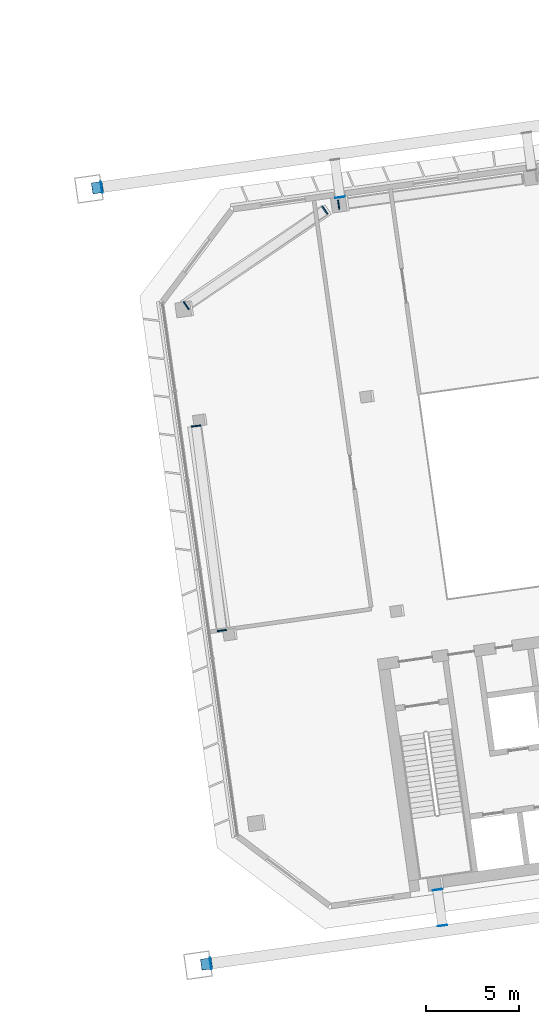
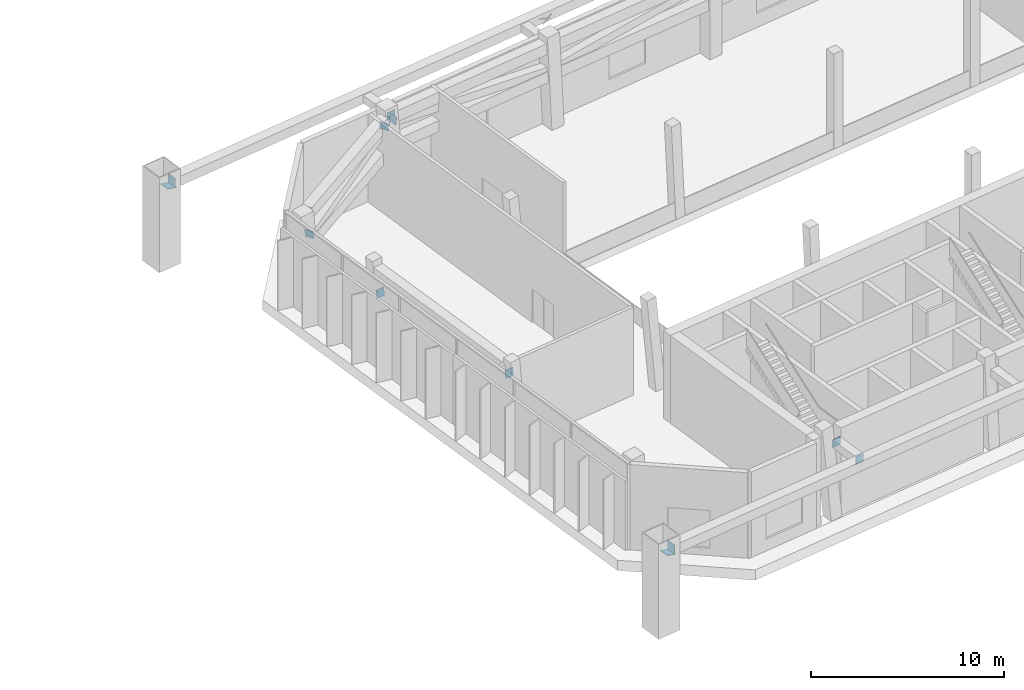
# One storey, part 24 of 29: 12 discrete accessories.
"""IFC4 building model written with IfcOpenShell, lengths in metres."""

import ifcopenshell
import ifcopenshell.guid

model = None  # the IFC model being written
_history = None  # IfcOwnerHistory: only IFC2X3 demands one
_inside = {}  # id of a spatial element -> (the spatial element, [elements in it])
_under = {}  # id of a project, library or spatial element -> (it, [spatial elements below it])
_declared = {}  # id of a project -> (the project, [libraries it declares])
_typed = {}  # id of a type object -> (the type object, [elements of that type])
_made_of = {}  # id of a material, layer set ... -> (it, [elements and type objects made of it])


def new_model(schema):
    """Start an empty IFC model of exactly this schema.

    Asked for "IFC4X3", IfcOpenShell would pick the latest addendum, in which some entities
    have other attributes; the version numbers below select the first issue.
    IFC2X3 requires an IfcOwnerHistory on every rooted entity: one is made here for all.
    """
    global model, _history
    if schema == "IFC4X3":
        model = ifcopenshell.file(schema_version=(4, 3, 0, 0))
    else:
        model = ifcopenshell.file(schema=schema)
    _inside.clear()
    _under.clear()
    _declared.clear()
    _typed.clear()
    _made_of.clear()
    _history = None
    if model.schema == "IFC2X3":
        org = make("IfcOrganization", Name="unknown")
        user = make(
            "IfcPersonAndOrganization",
            ThePerson=make("IfcPerson", FamilyName="unknown"),
            TheOrganization=org,
        )
        app = make(
            "IfcApplication",
            ApplicationDeveloper=org,
            Version="unknown",
            ApplicationFullName="unknown",
            ApplicationIdentifier="unknown",
        )
        _history = make(
            "IfcOwnerHistory",
            OwningUser=user,
            OwningApplication=app,
            ChangeAction="ADDED",
            CreationDate=0,
        )
    return model


def make(cls, **values):
    """One entity of the class cls with the attributes given. An attribute that is None is left unset."""
    return model.create_entity(
        cls, **{name: value for name, value in values.items() if value is not None}
    )


def rooted(cls, **values):
    """An entity with a GlobalId (a new one), such as an element, a storey or a relation."""
    return make(cls, GlobalId=ifcopenshell.guid.new(), OwnerHistory=_history, **values)


def si_unit(unit_type, name, prefix=None):
    """IfcSIUnit, for example si_unit("LENGTHUNIT", "METRE", prefix="MILLI")."""
    return make("IfcSIUnit", UnitType=unit_type, Prefix=prefix, Name=name)


def assignment(units):
    """IfcUnitAssignment: the units of a project."""
    return None if units is None else make("IfcUnitAssignment", Units=units)


def point(xyz):
    """IfcCartesianPoint."""
    return None if xyz is None else make("IfcCartesianPoint", Coordinates=xyz)


def direction(xyz):
    """IfcDirection."""
    return None if xyz is None else make("IfcDirection", DirectionRatios=xyz)


def frame(location, z_axis=None, x_axis=None):
    """IfcAxis2Placement3D, a coordinate frame: its origin and axes. An axis left out is left unset."""
    return make(
        "IfcAxis2Placement3D",
        Location=point(location),
        Axis=direction(z_axis),
        RefDirection=direction(x_axis),
    )


def frame_2d(location, x_axis=None):
    """IfcAxis2Placement2D, a coordinate frame in the plane: its origin and x axis."""
    return make(
        "IfcAxis2Placement2D", Location=point(location), RefDirection=direction(x_axis)
    )


def origin():
    """The frame at (0, 0, 0) with its axes left unset."""
    return frame((0.0, 0.0, 0.0))


def origin_2d():
    """The frame at (0, 0) in the plane with its x axis left unset."""
    return frame_2d((0.0, 0.0))


def place(relative_to, where):
    """IfcLocalPlacement: puts the frame where relative to a parent placement (None: the world)."""
    return make(
        "IfcLocalPlacement", PlacementRelTo=relative_to, RelativePlacement=where
    )


def context(
    kind, dimensions, precision=None, world=None, true_north=None, identifier=None
):
    """IfcGeometricRepresentationContext, for example the 3D "Model" context."""
    return make(
        "IfcGeometricRepresentationContext",
        ContextIdentifier=identifier,
        ContextType=kind,
        CoordinateSpaceDimension=dimensions,
        Precision=precision,
        WorldCoordinateSystem=world,
        TrueNorth=true_north,
    )


def subcontext(parent, identifier, kind, view, scale=None):
    """IfcGeometricRepresentationSubContext, for example "Body" below "Model"."""
    return make(
        "IfcGeometricRepresentationSubContext",
        ContextIdentifier=identifier,
        ContextType=kind,
        ParentContext=parent,
        TargetScale=scale,
        TargetView=view,
    )


def project(units=None, contexts=None):
    """IfcProject with its units and contexts."""
    return rooted(
        "IfcProject",
        Name="project",
        RepresentationContexts=contexts,
        UnitsInContext=assignment(units),
    )


def spatial(cls, under=None, at=None, **own):
    """A site, building, storey or space (cls), placed at a placement, below another one or the project."""
    s = rooted(cls, ObjectPlacement=at, **own)
    if under is not None:
        _under.setdefault(under.id(), (under, []))[1].append(s)
    return s


def profile(cls, at=None, kind="AREA", **sizes):
    """A parametric profile (cls). Its sizes go by their IFC names, for example OverallWidth=200.0."""
    return make(cls, ProfileType=kind, Position=at, **sizes)


def rectangle(**sizes):
    """IfcRectangleProfileDef."""
    return profile("IfcRectangleProfileDef", **sizes)


def extrude(swept, where, along, depth):
    """IfcExtrudedAreaSolid: the profile swept, set in the frame where, extruded along a direction by depth."""
    return make(
        "IfcExtrudedAreaSolid",
        SweptArea=swept,
        Position=where,
        ExtrudedDirection=direction(along),
        Depth=depth,
    )


def shape(context_of_items, identifier, shape_type, items):
    """IfcShapeRepresentation: the items that make up one representation, for example the "Body"."""
    return make(
        "IfcShapeRepresentation",
        ContextOfItems=context_of_items,
        RepresentationIdentifier=identifier,
        RepresentationType=shape_type,
        Items=items,
    )


def material(Name=None, Category=None):
    """IfcMaterial."""
    return make("IfcMaterial", Name=Name, Category=Category)


def material_profile(
    of_material, cross_section, Name=None, Category=None, Priority=None
):
    """IfcMaterialProfile: a cross section and its material."""
    return make(
        "IfcMaterialProfile",
        Name=Name,
        Material=of_material,
        Profile=cross_section,
        Priority=Priority,
        Category=Category,
    )


def profile_set(profiles, Name=None, composite=None):
    """IfcMaterialProfileSet."""
    return make(
        "IfcMaterialProfileSet",
        Name=Name,
        MaterialProfiles=profiles,
        CompositeProfile=composite,
    )


def made_of(thing, what):
    """Note that an element or type object is made of a material, layer set ...; save() writes the relation."""
    if what is not None:
        _made_of.setdefault(what.id(), (what, []))[1].append(thing)
    return thing


def type_object(cls, material=None, **own):
    """A type object (cls), such as IfcWallType, which elements share."""
    return made_of(rooted(cls, **own), material)


def element(
    cls,
    number,
    at=None,
    inside=None,
    cuts=None,
    type_object=None,
    material=None,
    context=None,
    identifier="Body",
    shape_type=None,
    held_by="IfcProductDefinitionShape",
    body=None,
    shapes=None,
    **own,
):
    """One element of the class cls, such as IfcWall. Its Tag is "e" and its number.

    at: its placement. inside: the storey or other place that contains it. cuts: it is an
    opening in that element (IfcRelVoidsElement). A single representation is given by context,
    identifier, shape_type and body (its items); several are given by shapes. held_by: the class
    of the entity that holds the representations. save() writes the other relations.
    """
    e = rooted(cls, Tag="e%d" % number, ObjectPlacement=at, **own)
    if body is not None:
        shapes = [shape(context, identifier, shape_type, body)]
    if shapes is not None:
        e.Representation = make(held_by, Representations=shapes)
    if inside is not None:
        _inside.setdefault(inside.id(), (inside, []))[1].append(e)
    if cuts is not None:
        rooted(
            "IfcRelVoidsElement", RelatingBuildingElement=cuts, RelatedOpeningElement=e
        )
    if type_object is not None:
        _typed.setdefault(type_object.id(), (type_object, []))[1].append(e)
    return made_of(e, material)


def aggregate(whole, parts):
    """IfcRelAggregates: a whole, such as a stair, and the parts it consists of."""
    return rooted("IfcRelAggregates", RelatingObject=whole, RelatedObjects=parts)


def save(model, path):
    """Write the relations noted so far, then the file.

    IfcRelAggregates (storeys below a building ...), IfcRelContainedInSpatialStructure (elements
    in a storey), IfcRelDefinesByType, IfcRelAssociatesMaterial and IfcRelDeclares: one each for
    every whole, place, type object, material and project.
    """
    for whole, parts in _under.values():
        aggregate(whole, parts)
    for where, things in _inside.values():
        rooted(
            "IfcRelContainedInSpatialStructure",
            RelatedElements=things,
            RelatingStructure=where,
        )
    for kind, things in _typed.values():
        rooted("IfcRelDefinesByType", RelatedObjects=things, RelatingType=kind)
    for what, things in _made_of.values():
        rooted("IfcRelAssociatesMaterial", RelatedObjects=things, RelatingMaterial=what)
    for by, libraries in _declared.values():
        rooted("IfcRelDeclares", RelatingContext=by, RelatedDefinitions=libraries)
    model.write(path)


model = new_model("IFC4")

# Units and contexts
model_context = context("Model", 3, precision=1e-05, world=origin(), true_north=direction((0.0, 1.0)))
body_context = subcontext(model_context, "Body", "Model", "MODEL_VIEW")
ifc_project = project(units=[si_unit("LENGTHUNIT", "METRE"), si_unit("AREAUNIT", "SQUARE_METRE"), si_unit("VOLUMEUNIT", "CUBIC_METRE"), si_unit("PLANEANGLEUNIT", "RADIAN"), si_unit("MASSUNIT", "GRAM", prefix="KILO")], contexts=[model_context])

# Site, building, storey
site_placement = place(None, origin())
site = spatial("IfcSite", under=ifc_project, at=site_placement, CompositionType="ELEMENT")
building_placement = place(site_placement, origin())
building = spatial("IfcBuilding", under=site, at=building_placement, Name="Mirante Cascada Hotel Towers", CompositionType="ELEMENT")
storey_placement = place(building_placement, frame((0.0, 0.0, 210.6)))
storey = spatial("IfcBuildingStorey", under=building, at=storey_placement, Name="L50", CompositionType="ELEMENT", Elevation=210.6)

# Discrete accessories
ifc_material_1 = material(Name="Steel ASTM A572 Gr 50", Category="steel")
ifc_material_profile_1 = material_profile(ifc_material_1, rectangle(XDim=0.5, YDim=0.5, at=origin_2d()), Name="Connection plate 500x500x25 ASTM A572 Gr 50")
ifc_profile_set_1 = profile_set([ifc_material_profile_1], Name="Steel ASTM A572 Gr 50")
discrete_accessory_type_1 = type_object("IfcDiscreteAccessoryType", Name="Connection plate 500x500x25 ASTM A572 Gr 50", PredefinedType="BRACKET", material=ifc_profile_set_1)
discrete_accessory_1_placement = place(storey_placement, frame((25.3574, 11.567, 3.7485), z_axis=(0.818, 0.5626244, 0.1197073), x_axis=(-0.5666994, 0.8239246, 0.0)))
element("IfcDiscreteAccessory", 1, at=discrete_accessory_1_placement, inside=storey, type_object=discrete_accessory_type_1, Name="Connection plate BT50D", PredefinedType="BRACKET", context=body_context, shape_type="SweptSolid", body=[
    extrude(rectangle(XDim=0.5, YDim=0.5, at=origin_2d()), origin(), (0.0, 0.0, 1.0), 0.0251),
])
for number, where, z_axis, x_axis, name in (
    (2, (32.7835, 16.6765, 4.8485), (0.8166732, 0.5644653, 0.120099), (-0.5685807, 0.8226275, 0.0), "Connection plate BT50D"),
    (3, (33.51, 16.9731, 4.8514), (0.9838033, 0.139972, -0.1119776), (-0.1408579, 0.9900298, 0.0), "Connection plate BT50D"),
    (4, (27.2735, -5.8494, 4.8512), (-0.1278885, 0.9871396, -0.0959164), (-0.991712, -0.1284809, 0.0), "Connection plate BT50D"),
    (5, (25.8909, 5.1048, 3.7512), (-0.1278885, 0.9871396, -0.0959164), (-0.991712, -0.1284809, 0.0), "Connection plate BT50D"),
):
    element("IfcDiscreteAccessory", number, at=place(storey_placement, frame(where, z_axis=z_axis, x_axis=x_axis)), inside=storey, type_object=discrete_accessory_type_1, Name=name, PredefinedType="BRACKET", context=body_context, shape_type="SweptSolid", body=[
        extrude(rectangle(XDim=0.5, YDim=0.5, at=origin_2d()), origin(), (0.0, 0.0, 1.0), 0.025),
    ])
discrete_accessory_2_placement = place(storey_placement, frame((33.6046, 17.3576, 4.85), z_axis=(-0.1402989, 0.9901092, 0.0), x_axis=(-0.9901092, -0.1402989, 0.0)))
element("IfcDiscreteAccessory", 6, at=discrete_accessory_2_placement, inside=storey, type_object=discrete_accessory_type_1, Name="Connection plate TIE", PredefinedType="BRACKET", context=body_context, shape_type="SweptSolid", body=[
    extrude(rectangle(XDim=0.5, YDim=0.5, at=origin_2d()), origin(), (0.0, 0.0, 1.0), 0.0249),
])
discrete_accessory_3_placement = place(storey_placement, frame((38.8146, -19.7131, 4.85), z_axis=(0.1358263, -0.9907327, 0.0), x_axis=(0.9907327, 0.1358263, 0.0)))
element("IfcDiscreteAccessory", 7, at=discrete_accessory_3_placement, inside=storey, type_object=discrete_accessory_type_1, Name="Connection plate TIE", PredefinedType="BRACKET", context=body_context, shape_type="SweptSolid", body=[
    extrude(rectangle(XDim=0.5, YDim=0.5, at=origin_2d()), origin(), (0.0, 0.0, 1.0), 0.025),
])
discrete_accessory_4_placement = place(storey_placement, frame((39.0846, -21.6343, 4.85), z_axis=(0.136366, -0.9906585, 0.0), x_axis=(0.9906585, 0.136366, 0.0)))
element("IfcDiscreteAccessory", 8, at=discrete_accessory_4_placement, inside=storey, type_object=discrete_accessory_type_1, Name="Connection plate TIE", PredefinedType="BRACKET", context=body_context, shape_type="SweptSolid", body=[
    extrude(rectangle(XDim=0.5, YDim=0.5, at=origin_2d()), origin(), (0.0, 0.0, 1.0), 0.0249),
])
ifc_material_2 = material(Name="Steel ASTM A572 Gr 50", Category="steel")
ifc_material_profile_2 = material_profile(ifc_material_2, rectangle(XDim=0.6, YDim=0.6, at=origin_2d()), Name="Connection plate 600x600x25 ASTM A572 Gr 50")
ifc_profile_set_2 = profile_set([ifc_material_profile_2], Name="Steel ASTM A572 Gr 50")
discrete_accessory_type_2 = type_object("IfcDiscreteAccessoryType", Name="Connection plate 600x600x25 ASTM A572 Gr 50", PredefinedType="BRACKET", material=ifc_profile_set_2)
discrete_accessory_5_placement = place(storey_placement, frame((20.6025, 17.8856, 4.6096), z_axis=(0.2591946, 0.0398761, 0.9650016), x_axis=(-0.1520572, 0.9883717, 0.0)))
element("IfcDiscreteAccessory", 9, at=discrete_accessory_5_placement, inside=storey, type_object=discrete_accessory_type_2, Name="Connection plate MB-FL50L", PredefinedType="BRACKET", context=body_context, shape_type="SweptSolid", body=[
    extrude(rectangle(XDim=0.6, YDim=0.6, at=origin_2d()), origin(), (0.0, 0.0, 1.0), 0.0251),
])
discrete_accessory_6_placement = place(storey_placement, frame((26.4478, -23.7056, 4.6096), z_axis=(0.2555079, 0.0359308, 0.9661391), x_axis=(-0.1392548, 0.9902566, 0.0)))
element("IfcDiscreteAccessory", 10, at=discrete_accessory_6_placement, inside=storey, type_object=discrete_accessory_type_2, Name="Connection plate MB-RL50L", PredefinedType="BRACKET", context=body_context, shape_type="SweptSolid", body=[
    extrude(rectangle(XDim=0.6, YDim=0.6, at=origin_2d()), origin(), (0.0, 0.0, 1.0), 0.025),
])
discrete_accessory_7_placement = place(storey_placement, frame((20.8109, 17.9149, 4.85), z_axis=(0.9901092, 0.1402989, 0.0), x_axis=(-0.1402989, 0.9901092, 0.0)))
element("IfcDiscreteAccessory", 11, at=discrete_accessory_7_placement, inside=storey, type_object=discrete_accessory_type_2, Name="Connection plate NCH", PredefinedType="BRACKET", context=body_context, shape_type="SweptSolid", body=[
    extrude(rectangle(XDim=0.6, YDim=0.6, at=origin_2d()), origin(), (0.0, 0.0, 1.0), 0.0249),
])
discrete_accessory_8_placement = place(storey_placement, frame((26.6561, -23.6763, 4.85), z_axis=(0.9901876, 0.1397442, 0.0), x_axis=(-0.1397442, 0.9901876, 0.0)))
element("IfcDiscreteAccessory", 12, at=discrete_accessory_8_placement, inside=storey, type_object=discrete_accessory_type_2, Name="Connection plate NCH", PredefinedType="BRACKET", context=body_context, shape_type="SweptSolid", body=[
    extrude(rectangle(XDim=0.6, YDim=0.6, at=origin_2d()), origin(), (0.0, 0.0, 1.0), 0.025),
])

save(model, "model.ifc")
